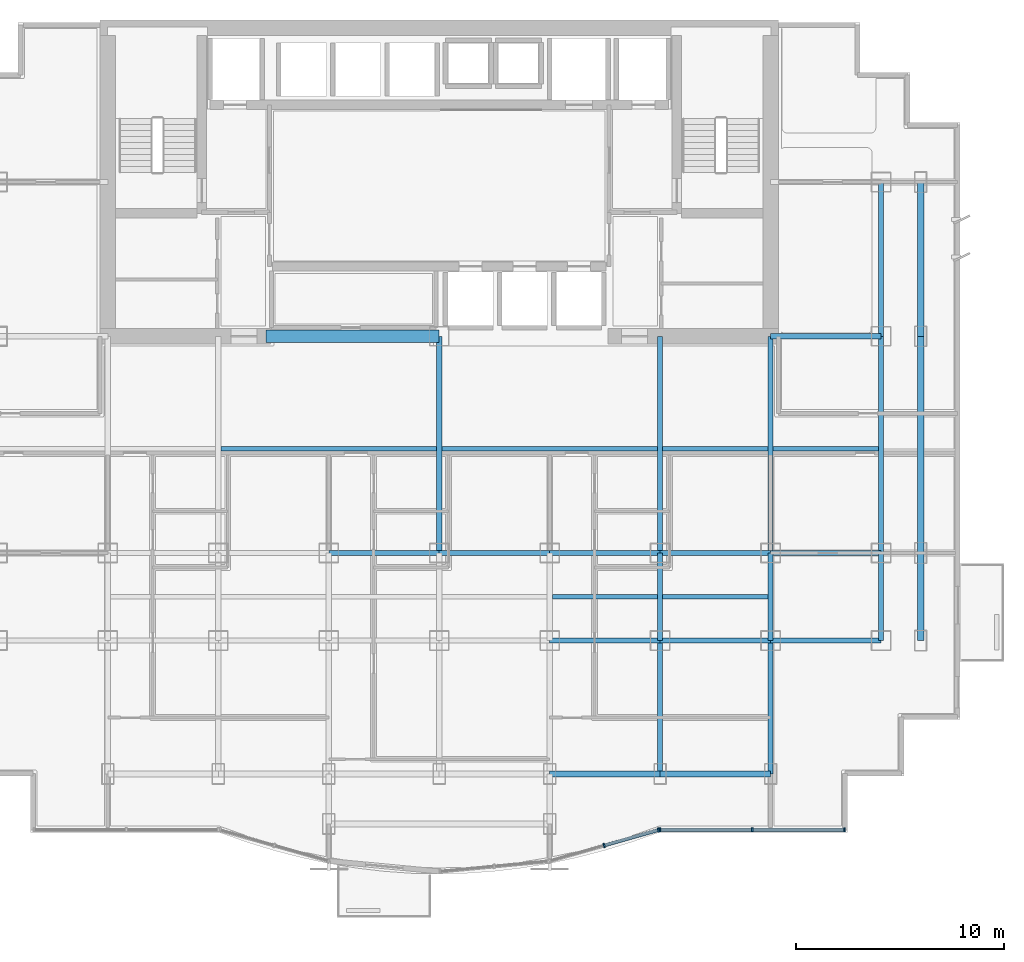
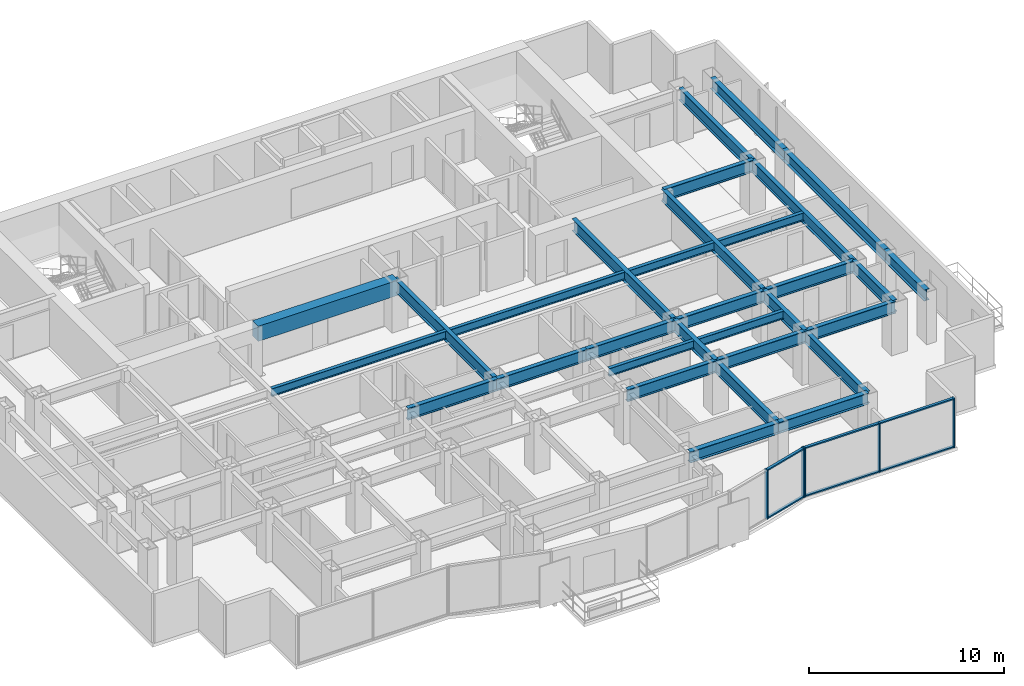
# One storey, part 3 of 9: 31 beams, 11 members, 2 elements without a shape of their own.
"""IFC4 building model written with IfcOpenShell, lengths in metres."""

from ifc_helpers import new_model, si_unit, direction, frame, origin, origin_2d, place, context, subcontext, project, spatial, rectangle, i_section, extrude, source, transform, mapped, material, layer, layer_set, material_profile, profile_set, type_object, element, aggregate, save


model = new_model("IFC4")

# Units and contexts
model_context = context("Model", 3, precision=1e-05, world=origin(), true_north=direction((0.0, 1.0)))
body_context = subcontext(model_context, "Body", "Model", "MODEL_VIEW")
ifc_project = project(units=[si_unit("LENGTHUNIT", "METRE"), si_unit("AREAUNIT", "SQUARE_METRE"), si_unit("VOLUMEUNIT", "CUBIC_METRE"), si_unit("PLANEANGLEUNIT", "RADIAN"), si_unit("MASSUNIT", "GRAM", prefix="KILO")], contexts=[model_context])

# Site, building, storey
site_placement = place(None, origin())
site = spatial("IfcSite", under=ifc_project, at=site_placement, CompositionType="ELEMENT")
building_placement = place(site_placement, origin())
building = spatial("IfcBuilding", under=site, at=building_placement, Name="Qianlan Lanfeng Residences", CompositionType="ELEMENT")
storey_placement = place(building_placement, frame((0.0, 0.0, 108.10009765625)))
storey = spatial("IfcBuildingStorey", under=building, at=storey_placement, Name="L29", CompositionType="ELEMENT", Elevation=108.10009765625)

# Beams
ifc_material_1 = material(Name="Steel SN490B", Category="steel")
ifc_material_profile_1 = material_profile(ifc_material_1, i_section(OverallWidth=0.25, OverallDepth=0.75, WebThickness=0.013916015625, FlangeThickness=0.02490234375, at=origin_2d()), Name="H 750x250x14x25")
ifc_profile_set_1 = profile_set([ifc_material_profile_1], Name="Steel SN490B")
beam_type_1 = type_object("IfcBeamType", Name="G-850", PredefinedType="BEAM", material=ifc_profile_set_1)
beam_1_placement = place(storey_placement, frame((31.800048828125, 10.60009765625, 2.71484375), z_axis=(1.0, 0.0, 0.0), x_axis=(0.0, 1.0, 0.0)))
element("IfcBeam", 1, at=beam_1_placement, inside=storey, type_object=beam_type_1, Name="Structural beam G-850", PredefinedType="BEAM", context=body_context, shape_type="SweptSolid", body=[
    extrude(i_section(OverallWidth=0.25, OverallDepth=0.75, WebThickness=0.013916015625, FlangeThickness=0.02490234375, at=origin_2d()), origin(), (0.0, 0.0, 1.0), 5.300048828125),
])
beam_2_placement = place(storey_placement, frame((37.10009765625, 10.60009765625, 2.71484375), z_axis=(1.0, 0.0, 0.0), x_axis=(0.0, 1.0, 0.0)))
element("IfcBeam", 2, at=beam_2_placement, inside=storey, type_object=beam_type_1, Name="Structural beam G-850", PredefinedType="BEAM", context=body_context, shape_type="SweptSolid", body=[
    extrude(i_section(OverallWidth=0.25, OverallDepth=0.75, WebThickness=0.013916015625, FlangeThickness=0.02490234375, at=origin_2d()), origin(), (0.0, 0.0, 1.0), 5.2998046875),
])
for number, where, z_axis, x_axis, name in (
    (3, (42.39990234375, 10.60009765625, 2.71484375), (1.0, 0.0, 0.0), (0.0, 1.0, 0.0), "Structural beam G-850"),
    (4, (21.199951171875, 14.800048828125, 2.71484375), (1.0, 0.0, 0.0), (0.0, 1.0, 0.0), "Structural beam G-850"),
    (5, (26.5, 14.800048828125, 2.71484375), (1.0, 0.0, 0.0), (0.0, 1.0, 0.0), "Structural beam G-850"),
    (6, (31.800048828125, 14.800048828125, 2.71484375), (1.0, 0.0, 0.0), (0.0, 1.0, 0.0), "Structural beam G-850"),
):
    element("IfcBeam", number, at=place(storey_placement, frame(where, z_axis=z_axis, x_axis=x_axis)), inside=storey, type_object=beam_type_1, Name=name, PredefinedType="BEAM", context=body_context, shape_type="SweptSolid", body=[
        extrude(i_section(OverallWidth=0.25, OverallDepth=0.75, WebThickness=0.013916015625, FlangeThickness=0.02490234375, at=origin_2d()), origin(), (0.0, 0.0, 1.0), 5.300048828125),
    ])
beam_3_placement = place(storey_placement, frame((37.10009765625, 14.800048828125, 2.71484375), z_axis=(1.0, 0.0, 0.0), x_axis=(0.0, 1.0, 0.0)))
element("IfcBeam", 7, at=beam_3_placement, inside=storey, type_object=beam_type_1, Name="Structural beam G-850", PredefinedType="BEAM", context=body_context, shape_type="SweptSolid", body=[
    extrude(i_section(OverallWidth=0.25, OverallDepth=0.75, WebThickness=0.013916015625, FlangeThickness=0.02490234375, at=origin_2d()), origin(), (0.0, 0.0, 1.0), 5.2998046875),
])
for number, where, z_axis, x_axis, name in (
    (8, (42.39990234375, 14.800048828125, 2.71484375), (1.0, 0.0, 0.0), (0.0, 1.0, 0.0), "Structural beam G-850"),
    (9, (42.39990234375, 25.199951171875, 2.71484375), (1.0, 0.0, 0.0), (0.0, 1.0, 0.0), "Structural beam G-850"),
):
    element("IfcBeam", number, at=place(storey_placement, frame(where, z_axis=z_axis, x_axis=x_axis)), inside=storey, type_object=beam_type_1, Name=name, PredefinedType="BEAM", context=body_context, shape_type="SweptSolid", body=[
        extrude(i_section(OverallWidth=0.25, OverallDepth=0.75, WebThickness=0.013916015625, FlangeThickness=0.02490234375, at=origin_2d()), origin(), (0.0, 0.0, 1.0), 5.300048828125),
    ])
beam_4_placement = place(storey_placement, frame((26.5, 14.800048828125, 2.71484375), z_axis=(0.0, 1.0, 0.0), x_axis=(-1.0, 0.0, 0.0)))
element("IfcBeam", 10, at=beam_4_placement, inside=storey, type_object=beam_type_1, Name="Structural beam G-850", PredefinedType="BEAM", context=body_context, shape_type="SweptSolid", body=[
    extrude(i_section(OverallWidth=0.25, OverallDepth=0.75, WebThickness=0.013916015625, FlangeThickness=0.02490234375, at=origin_2d()), origin(), (0.0, 0.0, 1.0), 10.39990234375),
])
beam_5_placement = place(storey_placement, frame((37.10009765625, 4.199951171875, 2.71484375), z_axis=(0.0, 1.0, 0.0), x_axis=(-1.0, 0.0, 0.0)))
element("IfcBeam", 11, at=beam_5_placement, inside=storey, type_object=beam_type_1, Name="Structural beam G-850", PredefinedType="BEAM", context=body_context, shape_type="SweptSolid", body=[
    extrude(i_section(OverallWidth=0.25, OverallDepth=0.75, WebThickness=0.013916015625, FlangeThickness=0.02490234375, at=origin_2d()), origin(), (0.0, 0.0, 1.0), 6.400146484375),
])
beam_6_placement = place(storey_placement, frame((37.10009765625, 10.60009765625, 2.71484375), z_axis=(0.0, 1.0, 0.0), x_axis=(-1.0, 0.0, 0.0)))
element("IfcBeam", 12, at=beam_6_placement, inside=storey, type_object=beam_type_1, Name="Structural beam G-850", PredefinedType="BEAM", context=body_context, shape_type="SweptSolid", body=[
    extrude(i_section(OverallWidth=0.25, OverallDepth=0.75, WebThickness=0.013916015625, FlangeThickness=0.02490234375, at=origin_2d()), origin(), (0.0, 0.0, 1.0), 4.199951171875),
])
beam_7_placement = place(storey_placement, frame((37.10009765625, 14.800048828125, 2.71484375), z_axis=(0.0, 1.0, 0.0), x_axis=(-1.0, 0.0, 0.0)))
element("IfcBeam", 13, at=beam_7_placement, inside=storey, type_object=beam_type_1, Name="Structural beam G-850", PredefinedType="BEAM", context=body_context, shape_type="SweptSolid", body=[
    extrude(i_section(OverallWidth=0.25, OverallDepth=0.75, WebThickness=0.013916015625, FlangeThickness=0.02490234375, at=origin_2d()), origin(), (0.0, 0.0, 1.0), 10.39990234375),
])
beam_8_placement = place(storey_placement, frame((42.39990234375, 4.199951171875, 2.71484375), z_axis=(0.0, 1.0, 0.0), x_axis=(-1.0, 0.0, 0.0)))
element("IfcBeam", 14, at=beam_8_placement, inside=storey, type_object=beam_type_1, Name="Structural beam G-850", PredefinedType="BEAM", context=body_context, shape_type="SweptSolid", body=[
    extrude(i_section(OverallWidth=0.25, OverallDepth=0.75, WebThickness=0.013916015625, FlangeThickness=0.02490234375, at=origin_2d()), origin(), (0.0, 0.0, 1.0), 6.400146484375),
])
beam_9_placement = place(storey_placement, frame((42.39990234375, 10.60009765625, 2.71484375), z_axis=(0.0, 1.0, 0.0), x_axis=(-1.0, 0.0, 0.0)))
element("IfcBeam", 15, at=beam_9_placement, inside=storey, type_object=beam_type_1, Name="Structural beam G-850", PredefinedType="BEAM", context=body_context, shape_type="SweptSolid", body=[
    extrude(i_section(OverallWidth=0.25, OverallDepth=0.75, WebThickness=0.013916015625, FlangeThickness=0.02490234375, at=origin_2d()), origin(), (0.0, 0.0, 1.0), 4.199951171875),
])
beam_10_placement = place(storey_placement, frame((42.39990234375, 14.800048828125, 2.71484375), z_axis=(0.0, 1.0, 0.0), x_axis=(-1.0, 0.0, 0.0)))
element("IfcBeam", 16, at=beam_10_placement, inside=storey, type_object=beam_type_1, Name="Structural beam G-850", PredefinedType="BEAM", context=body_context, shape_type="SweptSolid", body=[
    extrude(i_section(OverallWidth=0.25, OverallDepth=0.75, WebThickness=0.013916015625, FlangeThickness=0.02490234375, at=origin_2d()), origin(), (0.0, 0.0, 1.0), 10.39990234375),
])
beam_11_placement = place(storey_placement, frame((47.699951171875, 10.60009765625, 2.71484375), z_axis=(0.0, 1.0, 0.0), x_axis=(-1.0, 0.0, 0.0)))
element("IfcBeam", 17, at=beam_11_placement, inside=storey, type_object=beam_type_1, Name="Structural beam G-850", PredefinedType="BEAM", context=body_context, shape_type="SweptSolid", body=[
    extrude(i_section(OverallWidth=0.25, OverallDepth=0.75, WebThickness=0.013916015625, FlangeThickness=0.02490234375, at=origin_2d()), origin(), (0.0, 0.0, 1.0), 4.199951171875),
])
beam_12_placement = place(storey_placement, frame((47.699951171875, 14.800048828125, 2.71484375), z_axis=(0.0, 1.0, 0.0), x_axis=(-1.0, 0.0, 0.0)))
element("IfcBeam", 18, at=beam_12_placement, inside=storey, type_object=beam_type_1, Name="Structural beam G-850", PredefinedType="BEAM", context=body_context, shape_type="SweptSolid", body=[
    extrude(i_section(OverallWidth=0.25, OverallDepth=0.75, WebThickness=0.013916015625, FlangeThickness=0.02490234375, at=origin_2d()), origin(), (0.0, 0.0, 1.0), 10.39990234375),
])
beam_13_placement = place(storey_placement, frame((47.699951171875, 25.199951171875, 2.71484375), z_axis=(0.0, 1.0, 0.0), x_axis=(-1.0, 0.0, 0.0)))
element("IfcBeam", 19, at=beam_13_placement, inside=storey, type_object=beam_type_1, Name="Structural beam G-850", PredefinedType="BEAM", context=body_context, shape_type="SweptSolid", body=[
    extrude(i_section(OverallWidth=0.25, OverallDepth=0.75, WebThickness=0.013916015625, FlangeThickness=0.02490234375, at=origin_2d()), origin(), (0.0, 0.0, 1.0), 7.400146484375),
])
ifc_material_profile_2 = material_profile(ifc_material_1, i_section(OverallWidth=0.199951171875, OverallDepth=0.5, WebThickness=0.010009765625, FlangeThickness=0.01611328125, at=origin_2d()), Name="H 500x200x10x16")
ifc_profile_set_2 = profile_set([ifc_material_profile_2], Name="Steel SN490B")
beam_type_2 = type_object("IfcBeamType", Name="J-500", PredefinedType="JOIST", material=ifc_profile_set_2)
beam_14_placement = place(storey_placement, frame((31.925048828125, 12.699951171875, 2.83984375), z_axis=(1.0, 0.0, 0.0), x_axis=(0.0, 1.0, 0.0)))
element("IfcBeam", 20, at=beam_14_placement, inside=storey, type_object=beam_type_2, Name="Structural beam J-500", PredefinedType="JOIST", context=body_context, shape_type="SweptSolid", body=[
    extrude(i_section(OverallWidth=0.199951171875, OverallDepth=0.5, WebThickness=0.010009765625, FlangeThickness=0.01611328125, at=origin_2d()), origin(), (0.0, 0.0, 1.0), 5.050048828125),
])
beam_15_placement = place(storey_placement, frame((37.22509765625, 12.699951171875, 2.83984375), z_axis=(1.0, 0.0, 0.0), x_axis=(0.0, 1.0, 0.0)))
element("IfcBeam", 21, at=beam_15_placement, inside=storey, type_object=beam_type_2, Name="Structural beam J-500", PredefinedType="JOIST", context=body_context, shape_type="SweptSolid", body=[
    extrude(i_section(OverallWidth=0.199951171875, OverallDepth=0.5, WebThickness=0.010009765625, FlangeThickness=0.01611328125, at=origin_2d()), origin(), (0.0, 0.0, 1.0), 5.0498046875),
])
for number, where, z_axis, x_axis, name in (
    (22, (16.02490234375, 19.800048828125, 2.83984375), (1.0, 0.0, 0.0), (0.0, 1.0, 0.0), "Structural beam J-500"),
    (23, (26.625, 19.800048828125, 2.83984375), (1.0, 0.0, 0.0), (0.0, 1.0, 0.0), "Structural beam J-500"),
):
    element("IfcBeam", number, at=place(storey_placement, frame(where, z_axis=z_axis, x_axis=x_axis)), inside=storey, type_object=beam_type_2, Name=name, PredefinedType="JOIST", context=body_context, shape_type="SweptSolid", body=[
        extrude(i_section(OverallWidth=0.199951171875, OverallDepth=0.5, WebThickness=0.010009765625, FlangeThickness=0.01611328125, at=origin_2d()), origin(), (0.0, 0.0, 1.0), 10.35009765625),
    ])
beam_16_placement = place(storey_placement, frame((37.22509765625, 19.800048828125, 2.83984375), z_axis=(1.0, 0.0, 0.0), x_axis=(0.0, 1.0, 0.0)))
element("IfcBeam", 24, at=beam_16_placement, inside=storey, type_object=beam_type_2, Name="Structural beam J-500", PredefinedType="JOIST", context=body_context, shape_type="SweptSolid", body=[
    extrude(i_section(OverallWidth=0.199951171875, OverallDepth=0.5, WebThickness=0.010009765625, FlangeThickness=0.01611328125, at=origin_2d()), origin(), (0.0, 0.0, 1.0), 5.0498046875),
])
beam_17_placement = place(storey_placement, frame((42.52490234375, 19.800048828125, 2.83984375), z_axis=(1.0, 0.0, 0.0), x_axis=(0.0, 1.0, 0.0)))
element("IfcBeam", 25, at=beam_17_placement, inside=storey, type_object=beam_type_2, Name="Structural beam J-500", PredefinedType="JOIST", context=body_context, shape_type="SweptSolid", body=[
    extrude(i_section(OverallWidth=0.199951171875, OverallDepth=0.5, WebThickness=0.010009765625, FlangeThickness=0.01611328125, at=origin_2d()), origin(), (0.0, 0.0, 1.0), 5.050048828125),
])
ifc_material_2 = material(Name="Concrete C60", Category="concrete")
ifc_material_profile_3 = material_profile(ifc_material_2, rectangle(XDim=0.60009765625, YDim=0.949951171875, at=origin_2d()), Name="RC 600x950")
ifc_profile_set_3 = profile_set([ifc_material_profile_3], Name="Concrete C60")
beam_type_3 = type_object("IfcBeamType", Name="LB-RC900", PredefinedType="BEAM", material=ifc_profile_set_3)
beam_18_placement = place(storey_placement, frame((18.199951171875, 25.199951171875, 2.614990234375), z_axis=(1.0, 0.0, 0.0), x_axis=(0.0, 1.0, 0.0)))
element("IfcBeam", 26, at=beam_18_placement, inside=storey, type_object=beam_type_3, Name="L29 Core Coupling Beam W", PredefinedType="BEAM", context=body_context, shape_type="SweptSolid", body=[
    extrude(rectangle(XDim=0.60009765625, YDim=0.949951171875, at=origin_2d()), origin(), (0.0, 0.0, 1.0), 8.300048828125),
])
ifc_material_profile_4 = material_profile(ifc_material_1, i_section(OverallWidth=0.300048828125, OverallDepth=0.699951171875, WebThickness=0.012939453125, FlangeThickness=0.02392578125, at=origin_2d()), Name="H 700x300x13x24")
ifc_profile_set_4 = profile_set([ifc_material_profile_4], Name="Steel SN490B")
beam_type_4 = type_object("IfcBeamType", Name="SG-750", PredefinedType="SPANDREL", material=ifc_profile_set_4)
beam_19_placement = place(storey_placement, frame((31.800048828125, 4.199951171875, 2.739990234375), z_axis=(1.0, 0.0, 0.0), x_axis=(0.0, 1.0, 0.0)))
element("IfcBeam", 27, at=beam_19_placement, inside=storey, type_object=beam_type_4, Name="Structural beam SG-750", PredefinedType="SPANDREL", context=body_context, shape_type="SweptSolid", body=[
    extrude(i_section(OverallWidth=0.300048828125, OverallDepth=0.699951171875, WebThickness=0.012939453125, FlangeThickness=0.02392578125, at=origin_2d()), origin(), (0.0, 0.0, 1.0), 5.300048828125),
])
beam_20_placement = place(storey_placement, frame((37.10009765625, 4.199951171875, 2.739990234375), z_axis=(1.0, 0.0, 0.0), x_axis=(0.0, 1.0, 0.0)))
element("IfcBeam", 28, at=beam_20_placement, inside=storey, type_object=beam_type_4, Name="Structural beam SG-750", PredefinedType="SPANDREL", context=body_context, shape_type="SweptSolid", body=[
    extrude(i_section(OverallWidth=0.300048828125, OverallDepth=0.699951171875, WebThickness=0.012939453125, FlangeThickness=0.02392578125, at=origin_2d()), origin(), (0.0, 0.0, 1.0), 5.2998046875),
])
beam_21_placement = place(storey_placement, frame((49.60009765625, 10.60009765625, 2.739990234375), z_axis=(0.0, 1.0, 0.0), x_axis=(-1.0, 0.0, 0.0)))
element("IfcBeam", 29, at=beam_21_placement, inside=storey, type_object=beam_type_4, Name="Structural beam SG-750", PredefinedType="SPANDREL", context=body_context, shape_type="SweptSolid", body=[
    extrude(i_section(OverallWidth=0.300048828125, OverallDepth=0.699951171875, WebThickness=0.012939453125, FlangeThickness=0.02392578125, at=origin_2d()), origin(), (0.0, 0.0, 1.0), 4.199951171875),
])
beam_22_placement = place(storey_placement, frame((49.60009765625, 14.800048828125, 2.739990234375), z_axis=(0.0, 1.0, 0.0), x_axis=(-1.0, 0.0, 0.0)))
element("IfcBeam", 30, at=beam_22_placement, inside=storey, type_object=beam_type_4, Name="Structural beam SG-750", PredefinedType="SPANDREL", context=body_context, shape_type="SweptSolid", body=[
    extrude(i_section(OverallWidth=0.300048828125, OverallDepth=0.699951171875, WebThickness=0.012939453125, FlangeThickness=0.02392578125, at=origin_2d()), origin(), (0.0, 0.0, 1.0), 10.39990234375),
])
beam_23_placement = place(storey_placement, frame((49.60009765625, 25.199951171875, 2.739990234375), z_axis=(0.0, 1.0, 0.0), x_axis=(-1.0, 0.0, 0.0)))
element("IfcBeam", 31, at=beam_23_placement, inside=storey, type_object=beam_type_4, Name="Structural beam SG-750", PredefinedType="SPANDREL", context=body_context, shape_type="SweptSolid", body=[
    extrude(i_section(OverallWidth=0.300048828125, OverallDepth=0.699951171875, WebThickness=0.012939453125, FlangeThickness=0.02392578125, at=origin_2d()), origin(), (0.0, 0.0, 1.0), 7.400146484375),
])

# Curtain wall, members
ifc_material_3 = material(Name="Anodised Bronze Aluminium 6063-T6", Category="aluminium")
ifc_layer = layer(ifc_material_3, 0.219970703125)
ifc_layer_set = layer_set([ifc_layer], Name="Anodised Bronze Aluminium 6063-T6")
curtain_wall_type = type_object("IfcCurtainWallType", Name="CW-03", PredefinedType="NOTDEFINED", material=ifc_layer_set)
curtain_wall_1_placement = place(storey_placement, origin())
curtain_wall_1 = element("IfcCurtainWall", 32, at=curtain_wall_1_placement, inside=storey, type_object=curtain_wall_type, Name="L29 Unitised Curtain Wall CWR-L29-05 (CW-03)", PredefinedType="NOTDEFINED")
ifc_material_profile_5 = material_profile(ifc_material_3, rectangle(XDim=0.080078125, YDim=0.159912109375, at=origin_2d()), Name="ALU TRANSOM 80x160")
ifc_profile_set_5 = profile_set([ifc_material_profile_5], Name="Anodised Bronze Aluminium 6063-T6")
member_type_1 = type_object("IfcMemberType", Name="CWT-180", PredefinedType="USERDEFINED", material=ifc_profile_set_5)
shared_shape_1 = source(origin(), body_context, "Body", "SweptSolid", [
    extrude(rectangle(XDim=0.080078125, YDim=0.159912109375, at=origin_2d()), origin(), (0.0, 0.0, 1.0), 4.34033203125),
])
member_1_placement = place(storey_placement, frame((41.5595703125, 1.52001953125, 0.039794921875), z_axis=(1.0, 0.0, 0.0), x_axis=(0.0, 0.0, 1.0)))
member_1 = element("IfcMember", 33, at=member_1_placement, type_object=member_type_1, Name="CWR-L29-05 Transom 2-BOT", ObjectType="TRANSOM", PredefinedType="USERDEFINED", context=body_context, shape_type="MappedRepresentation", body=[
    mapped(shared_shape_1, transform((0.0, 0.0, 0.0), scale=1.0)),
])
member_2_placement = place(storey_placement, frame((41.5595703125, 1.52001953125, 3.0498046875), z_axis=(1.0, 0.0, 0.0), x_axis=(0.0, 0.0, 1.0)))
member_2 = element("IfcMember", 34, at=member_2_placement, type_object=member_type_1, Name="CWR-L29-05 Transom 2-TOP", ObjectType="TRANSOM", PredefinedType="USERDEFINED", context=body_context, shape_type="MappedRepresentation", body=[
    mapped(shared_shape_1, transform((0.0, 0.0, 0.0), scale=1.0)),
])
shared_shape_2 = source(origin(), body_context, "Body", "SweptSolid", [
    extrude(rectangle(XDim=0.080078125, YDim=0.159912109375, at=origin_2d()), origin(), (0.0, 0.0, 1.0), 4.340576171875),
])
member_3_placement = place(storey_placement, frame((37.138916015625, 1.52001953125, 0.039794921875), z_axis=(1.0, 0.0, 0.0), x_axis=(0.0, 0.0, 1.0)))
member_3 = element("IfcMember", 35, at=member_3_placement, type_object=member_type_1, Name="CWR-L29-05 Transom 1-BOT", ObjectType="TRANSOM", PredefinedType="USERDEFINED", context=body_context, shape_type="MappedRepresentation", body=[
    mapped(shared_shape_2, transform((0.0, 0.0, 0.0), scale=1.0)),
])
member_4_placement = place(storey_placement, frame((37.138916015625, 1.52001953125, 3.0498046875), z_axis=(1.0, 0.0, 0.0), x_axis=(0.0, 0.0, 1.0)))
member_4 = element("IfcMember", 36, at=member_4_placement, type_object=member_type_1, Name="CWR-L29-05 Transom 1-TOP", ObjectType="TRANSOM", PredefinedType="USERDEFINED", context=body_context, shape_type="MappedRepresentation", body=[
    mapped(shared_shape_2, transform((0.0, 0.0, 0.0), scale=1.0)),
])

curtain_wall_2_placement = place(storey_placement, origin())
curtain_wall_2 = element("IfcCurtainWall", 37, at=curtain_wall_2_placement, inside=storey, type_object=curtain_wall_type, Name="L29 Unitised Curtain Wall CWR-L29-04 (CW-03)", PredefinedType="NOTDEFINED")
shared_shape_3 = source(origin(), body_context, "Body", "SweptSolid", [
    extrude(rectangle(XDim=0.080078125, YDim=0.159912109375, at=origin_2d()), origin(), (0.0, 0.0, 1.0), 2.63037109375),
])
member_5_placement = place(storey_placement, frame((34.451904296875, 0.77978515625, 0.039794921875), z_axis=(0.961967513886, 0.273163874312, 0.0), x_axis=(0.0, 0.0, 1.0)))
member_5 = element("IfcMember", 38, at=member_5_placement, type_object=member_type_1, Name="CWR-L29-04 Transom 2-BOT", ObjectType="TRANSOM", PredefinedType="USERDEFINED", context=body_context, shape_type="MappedRepresentation", body=[
    mapped(shared_shape_3, transform((0.0, 0.0, 0.0), scale=1.0)),
])
member_6_placement = place(storey_placement, frame((34.451904296875, 0.77978515625, 3.0498046875), z_axis=(0.961967513886, 0.273163874312, 0.0), x_axis=(0.0, 0.0, 1.0)))
member_6 = element("IfcMember", 39, at=member_6_placement, type_object=member_type_1, Name="CWR-L29-04 Transom 2-TOP", ObjectType="TRANSOM", PredefinedType="USERDEFINED", context=body_context, shape_type="MappedRepresentation", body=[
    mapped(shared_shape_3, transform((0.0, 0.0, 0.0), scale=1.0)),
])
ifc_material_profile_6 = material_profile(ifc_material_3, rectangle(XDim=0.080078125, YDim=0.2099609375, at=origin_2d()), Name="ALU MULLION 80x210")
ifc_profile_set_6 = profile_set([ifc_material_profile_6], Name="Anodised Bronze Aluminium 6063-T6")
member_type_2 = type_object("IfcMemberType", Name="CWM-220", PredefinedType="MULLION", material=ifc_profile_set_6)
shared_shape_4 = source(origin(), body_context, "Body", "SweptSolid", [
    extrude(rectangle(XDim=0.080078125, YDim=0.2099609375, at=origin_2d()), origin(), (0.0, 0.0, 1.0), 3.08984375),
])
member_7_placement = place(storey_placement, frame((34.41357421875, 0.76904296875, 0.0), z_axis=(0.0, 0.0, 1.0), x_axis=(0.961989074302, 0.273087936247, 0.0)))
member_7 = element("IfcMember", 40, at=member_7_placement, type_object=member_type_2, Name="CWR-L29-04 Mullion 2", PredefinedType="MULLION", context=body_context, shape_type="MappedRepresentation", body=[
    mapped(shared_shape_4, transform((0.0, 0.0, 0.0), scale=1.0)),
])
member_8_placement = place(storey_placement, frame((37.0205078125, 1.509033203125, 0.0), z_axis=(0.0, 0.0, 1.0), x_axis=(0.961989074302, 0.273087936247, 0.0)))
member_8 = element("IfcMember", 41, at=member_8_placement, type_object=member_type_2, Name="CWR-L29-04 Mullion 3", PredefinedType="MULLION", context=body_context, shape_type="MappedRepresentation", body=[
    mapped(shared_shape_4, transform((0.0, 0.0, 0.0), scale=1.0)),
])
aggregate(curtain_wall_2, [member_7, member_8, member_5, member_6])

# Member
member_9_placement = place(storey_placement, frame((37.09912109375, 1.52001953125, 0.0), z_axis=(0.0, 0.0, 1.0), x_axis=(1.0, 0.0, 0.0)))
member_9 = element("IfcMember", 42, at=member_9_placement, type_object=member_type_2, Name="CWR-L29-05 Mullion 1", PredefinedType="MULLION", context=body_context, shape_type="MappedRepresentation", body=[
    mapped(shared_shape_4, transform((0.0, 0.0, 0.0), scale=1.0)),
])

member_10_placement = place(storey_placement, frame((41.51953125, 1.52001953125, 0.0), z_axis=(0.0, 0.0, 1.0), x_axis=(1.0, 0.0, 0.0)))
member_10 = element("IfcMember", 43, at=member_10_placement, type_object=member_type_2, Name="CWR-L29-05 Mullion 2", PredefinedType="MULLION", context=body_context, shape_type="MappedRepresentation", body=[
    mapped(shared_shape_4, transform((0.0, 0.0, 0.0), scale=1.0)),
])

member_11_placement = place(storey_placement, frame((45.93994140625, 1.52001953125, 0.0), z_axis=(0.0, 0.0, 1.0), x_axis=(1.0, 0.0, 0.0)))
member_11 = element("IfcMember", 44, at=member_11_placement, type_object=member_type_2, Name="CWR-L29-05 Mullion 3", PredefinedType="MULLION", context=body_context, shape_type="MappedRepresentation", body=[
    mapped(shared_shape_4, transform((0.0, 0.0, 0.0), scale=1.0)),
])

aggregate(curtain_wall_1, [member_9, member_10, member_11, member_3, member_4, member_1, member_2])

save(model, "model.ifc")
